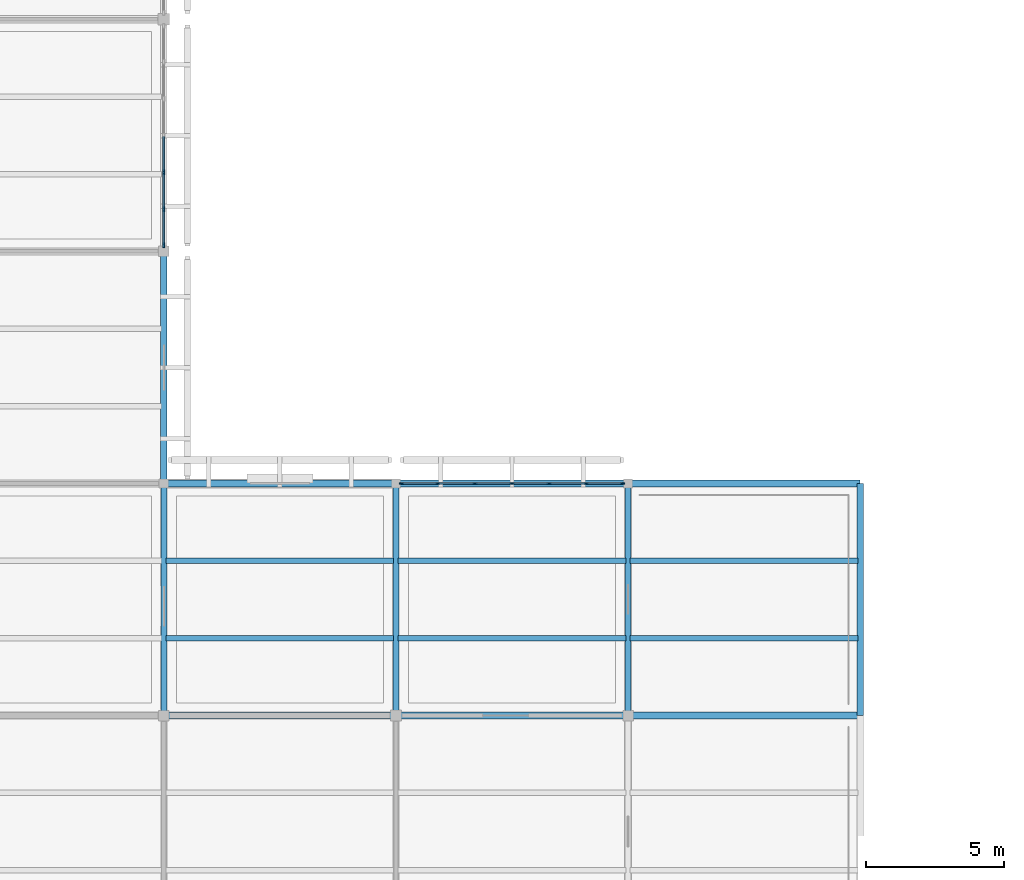
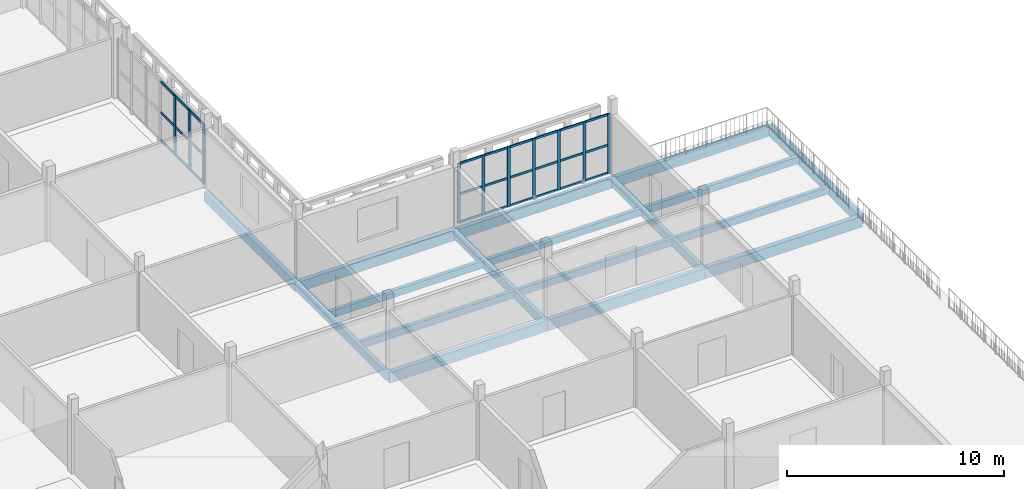
# One storey, part 21 of 140: 37 members, 17 beams, 2 elements without a shape of their own.
"""IFC4 building model written with IfcOpenShell, lengths in metres."""

from ifc_helpers import new_model, si_unit, direction, frame, origin, origin_2d, place, context, subcontext, project, spatial, rectangle, extrude, material, layer, layer_set, material_profile, profile_set, type_object, element, aggregate, save


model = new_model("IFC4")

# Units and contexts
model_context = context("Model", 3, precision=1e-05, world=origin(), true_north=direction((0.0, 1.0)))
body_context = subcontext(model_context, "Body", "Model", "MODEL_VIEW")
ifc_project = project(units=[si_unit("LENGTHUNIT", "METRE"), si_unit("AREAUNIT", "SQUARE_METRE"), si_unit("VOLUMEUNIT", "CUBIC_METRE"), si_unit("PLANEANGLEUNIT", "RADIAN"), si_unit("MASSUNIT", "GRAM", prefix="KILO")], contexts=[model_context])

# Site, building, storey
site_placement = place(None, origin())
site = spatial("IfcSite", under=ifc_project, at=site_placement, CompositionType="ELEMENT")
building_placement = place(site_placement, origin())
building = spatial("IfcBuilding", under=site, at=building_placement, Name="Varnapada Polytechnic", CompositionType="ELEMENT")
storey_placement = place(building_placement, frame((0.0, 0.0, 13.800048828125)))
storey = spatial("IfcBuildingStorey", under=building, at=storey_placement, Name="L03", CompositionType="ELEMENT", Elevation=13.800048828125)

# Beams
ifc_material_1 = material(Name="Glulam GL32h", Category="wood")
ifc_material_profile_1 = material_profile(ifc_material_1, rectangle(XDim=0.199951171875, YDim=0.39990234375, at=origin_2d()), Name="GL 200x400")
ifc_profile_set_1 = profile_set([ifc_material_profile_1], Name="Glulam GL32h")
beam_type_1 = type_object("IfcBeamType", Name="Library/laboratory glulam floor joist GJ-01 (GL 200x400)", PredefinedType="JOIST", material=ifc_profile_set_1)
for number, where, z_axis, x_axis, name in (
    (1, (33.679931640625, 36.39990234375, -0.469970703125), (1.0, 0.0, 0.0), (0.0, 1.0, 0.0), "L03 floor joist 5/5.1"),
    (2, (33.679931640625, 39.199951171875, -0.469970703125), (1.0, 0.0, 0.0), (0.0, 1.0, 0.0), "L03 floor joist 5/5.2"),
    (3, (42.080078125, 36.39990234375, -0.469970703125), (1.0, 0.0, 0.0), (0.0, 1.0, 0.0), "L03 floor joist 6/5.1"),
    (4, (42.080078125, 39.199951171875, -0.469970703125), (1.0, 0.0, 0.0), (0.0, 1.0, 0.0), "L03 floor joist 6/5.2"),
    (5, (50.47998046875, 36.39990234375, -0.469970703125), (1.0, 0.0, 0.0), (0.0, 1.0, 0.0), "L03 floor joist 7/5.1"),
    (6, (50.47998046875, 39.199951171875, -0.469970703125), (1.0, 0.0, 0.0), (0.0, 1.0, 0.0), "L03 floor joist 7/5.2"),
):
    element("IfcBeam", number, at=place(storey_placement, frame(where, z_axis=z_axis, x_axis=x_axis)), inside=storey, type_object=beam_type_1, Name=name, PredefinedType="JOIST", context=body_context, shape_type="SweptSolid", body=[
        extrude(rectangle(XDim=0.199951171875, YDim=0.39990234375, at=origin_2d()), origin(), (0.0, 0.0, 1.0), 8.239990234375),
    ])

# Curtain wall, members
ifc_material_2 = material(Name="Double low-E laminated glass", Category="glass")
ifc_layer_1 = layer(ifc_material_2, 0.159912109375)
ifc_layer_set_1 = layer_set([ifc_layer_1], Name="Double low-E laminated glass")
curtain_wall_type_1 = type_object("IfcCurtainWallType", Name="Curtain Wall CW-01", PredefinedType="NOTDEFINED", material=ifc_layer_set_1)
curtain_wall_1_placement = place(storey_placement, origin())
curtain_wall_1 = element("IfcCurtainWall", 7, at=curtain_wall_1_placement, inside=storey, type_object=curtain_wall_type_1, Name="L03 unitised curtain wall CW-01 (224)", PredefinedType="NOTDEFINED")
ifc_material_3 = material(Name="Anodised aluminium", Category="aluminium")
ifc_material_profile_2 = material_profile(ifc_material_3, rectangle(XDim=0.06005859375, YDim=0.159912109375, at=origin_2d()), Name="ALU M60x160")
ifc_profile_set_2 = profile_set([ifc_material_profile_2], Name="Anodised aluminium")
member_type_1 = type_object("IfcMemberType", Name="Mullion M-01", PredefinedType="MULLION", material=ifc_profile_set_2)
member_1_placement = place(storey_placement, frame((42.199951171875, 42.0, 0.0), z_axis=(0.0, 0.0, 1.0), x_axis=(0.0, 1.0, 0.0)))
member_1 = element("IfcMember", 8, at=member_1_placement, type_object=member_type_1, Name="CW-01 mullion 1", PredefinedType="MULLION", context=body_context, shape_type="SweptSolid", body=[
    extrude(rectangle(XDim=0.06005859375, YDim=0.159912109375, at=origin_2d()), origin(), (0.0, 0.0, 1.0), 3.35986328125),
])
member_2_placement = place(storey_placement, frame((43.513427734375, 42.0, 0.0), z_axis=(0.0, 0.0, 1.0), x_axis=(0.0, 1.0, 0.0)))
member_2 = element("IfcMember", 9, at=member_2_placement, type_object=member_type_1, Name="CW-01 mullion 2", PredefinedType="MULLION", context=body_context, shape_type="SweptSolid", body=[
    extrude(rectangle(XDim=0.06005859375, YDim=0.159912109375, at=origin_2d()), origin(), (0.0, 0.0, 1.0), 3.35986328125),
])
member_3_placement = place(storey_placement, frame((44.856689453125, 42.0, 0.0), z_axis=(0.0, 0.0, 1.0), x_axis=(0.0, 1.0, 0.0)))
member_3 = element("IfcMember", 10, at=member_3_placement, type_object=member_type_1, Name="CW-01 mullion 3", PredefinedType="MULLION", context=body_context, shape_type="SweptSolid", body=[
    extrude(rectangle(XDim=0.06005859375, YDim=0.159912109375, at=origin_2d()), origin(), (0.0, 0.0, 1.0), 3.35986328125),
])
member_4_placement = place(storey_placement, frame((46.199951171875, 42.0, 0.0), z_axis=(0.0, 0.0, 1.0), x_axis=(0.0, 1.0, 0.0)))
member_4 = element("IfcMember", 11, at=member_4_placement, type_object=member_type_1, Name="CW-01 mullion 4", PredefinedType="MULLION", context=body_context, shape_type="SweptSolid", body=[
    extrude(rectangle(XDim=0.06005859375, YDim=0.159912109375, at=origin_2d()), origin(), (0.0, 0.0, 1.0), 3.35986328125),
])
member_5_placement = place(storey_placement, frame((47.543212890625, 42.0, 0.0), z_axis=(0.0, 0.0, 1.0), x_axis=(0.0, 1.0, 0.0)))
member_5 = element("IfcMember", 12, at=member_5_placement, type_object=member_type_1, Name="CW-01 mullion 5", PredefinedType="MULLION", context=body_context, shape_type="SweptSolid", body=[
    extrude(rectangle(XDim=0.06005859375, YDim=0.159912109375, at=origin_2d()), origin(), (0.0, 0.0, 1.0), 3.35986328125),
])
member_6_placement = place(storey_placement, frame((48.88671875, 42.0, 0.0), z_axis=(0.0, 0.0, 1.0), x_axis=(0.0, 1.0, 0.0)))
member_6 = element("IfcMember", 13, at=member_6_placement, type_object=member_type_1, Name="CW-01 mullion 6", PredefinedType="MULLION", context=body_context, shape_type="SweptSolid", body=[
    extrude(rectangle(XDim=0.06005859375, YDim=0.159912109375, at=origin_2d()), origin(), (0.0, 0.0, 1.0), 3.35986328125),
])
member_7_placement = place(storey_placement, frame((50.199951171875, 42.0, 0.0), z_axis=(0.0, 0.0, 1.0), x_axis=(0.0, 1.0, 0.0)))
member_7 = element("IfcMember", 14, at=member_7_placement, type_object=member_type_1, Name="CW-01 mullion 7", PredefinedType="MULLION", context=body_context, shape_type="SweptSolid", body=[
    extrude(rectangle(XDim=0.06005859375, YDim=0.159912109375, at=origin_2d()), origin(), (0.0, 0.0, 1.0), 3.35986328125),
])

ifc_layer_2 = layer(ifc_material_2, 0.179931640625)
ifc_layer_set_2 = layer_set([ifc_layer_2], Name="Double low-E laminated glass")
curtain_wall_type_2 = type_object("IfcCurtainWallType", Name="Curtain Wall CW-03", PredefinedType="NOTDEFINED", material=ifc_layer_set_2)
curtain_wall_2_placement = place(storey_placement, origin())
curtain_wall_2 = element("IfcCurtainWall", 15, at=curtain_wall_2_placement, inside=storey, type_object=curtain_wall_type_2, Name="L03 unitised curtain wall CW-03 (217)", PredefinedType="NOTDEFINED")
ifc_material_profile_3 = material_profile(ifc_material_3, rectangle(XDim=0.06494140625, YDim=0.179931640625, at=origin_2d()), Name="ALU M65x180")
ifc_profile_set_3 = profile_set([ifc_material_profile_3], Name="Anodised aluminium")
member_type_2 = type_object("IfcMemberType", Name="Mullion M-02", PredefinedType="MULLION", material=ifc_profile_set_3)
member_8_placement = place(storey_placement, frame((33.60009765625, 53.256591796875, 0.0), z_axis=(0.0, 0.0, 1.0), x_axis=(1.0, 0.0, 0.0)))
member_8 = element("IfcMember", 16, at=member_8_placement, type_object=member_type_2, Name="CW-03 mullion 5", PredefinedType="MULLION", context=body_context, shape_type="SweptSolid", body=[
    extrude(rectangle(XDim=0.06494140625, YDim=0.179931640625, at=origin_2d()), origin(), (0.0, 0.0, 1.0), 3.35986328125),
])
member_9_placement = place(storey_placement, frame((33.60009765625, 51.92333984375, 0.0), z_axis=(0.0, 0.0, 1.0), x_axis=(1.0, 0.0, 0.0)))
member_9 = element("IfcMember", 17, at=member_9_placement, type_object=member_type_2, Name="CW-03 mullion 6", PredefinedType="MULLION", context=body_context, shape_type="SweptSolid", body=[
    extrude(rectangle(XDim=0.06494140625, YDim=0.179931640625, at=origin_2d()), origin(), (0.0, 0.0, 1.0), 3.35986328125),
])
member_10_placement = place(storey_placement, frame((33.60009765625, 50.62255859375, 0.0), z_axis=(0.0, 0.0, 1.0), x_axis=(1.0, 0.0, 0.0)))
member_10 = element("IfcMember", 18, at=member_10_placement, type_object=member_type_2, Name="CW-03 mullion 7", PredefinedType="MULLION", context=body_context, shape_type="SweptSolid", body=[
    extrude(rectangle(XDim=0.06494140625, YDim=0.179931640625, at=origin_2d()), origin(), (0.0, 0.0, 1.0), 3.35986328125),
])

# Beams
ifc_material_profile_4 = material_profile(ifc_material_1, rectangle(XDim=0.239990234375, YDim=0.56005859375, at=origin_2d()), Name="GL 240x560")
ifc_profile_set_4 = profile_set([ifc_material_profile_4], Name="Glulam GL32h")
beam_type_2 = type_object("IfcBeamType", Name="Perimeter glulam spandrel beam SP-02 (GL 240x560)", PredefinedType="SPANDREL", material=ifc_profile_set_4)
for number, where, z_axis, x_axis, name in (
    (19, (33.60009765625, 42.0, -0.550048828125), (1.0, 0.0, 0.0), (0.0, 1.0, 0.0), "L03 beam X 5-6 at Y6"),
    (20, (42.0, 42.0, -0.550048828125), (1.0, 0.0, 0.0), (0.0, 1.0, 0.0), "L03 beam X 6-7 at Y6"),
):
    element("IfcBeam", number, at=place(storey_placement, frame(where, z_axis=z_axis, x_axis=x_axis)), inside=storey, type_object=beam_type_2, Name=name, PredefinedType="SPANDREL", context=body_context, shape_type="SweptSolid", body=[
        extrude(rectangle(XDim=0.239990234375, YDim=0.56005859375, at=origin_2d()), origin(), (0.0, 0.0, 1.0), 8.39990234375),
    ])
beam_1_placement = place(storey_placement, frame((50.39990234375, 42.0, -0.550048828125), z_axis=(1.0, 0.0, 0.0), x_axis=(0.0, 1.0, 0.0)))
element("IfcBeam", 21, at=beam_1_placement, inside=storey, type_object=beam_type_2, Name="L03 beam X 7-8 at Y6", PredefinedType="SPANDREL", context=body_context, shape_type="SweptSolid", body=[
    extrude(rectangle(XDim=0.239990234375, YDim=0.56005859375, at=origin_2d()), origin(), (0.0, 0.0, 1.0), 8.400146484375),
])
for number, where, z_axis, x_axis, name in (
    (22, (33.60009765625, 42.0, -0.550048828125), (0.0, 1.0, 0.0), (-1.0, 0.0, 0.0), "L03 beam Y 6-7 at X5"),
    (23, (58.800048828125, 33.60009765625, -0.5400390625), (0.0, 1.0, 0.0), (-1.0, 0.0, 0.0), "L03 beam Y 5-6 at X8"),
):
    element("IfcBeam", number, at=place(storey_placement, frame(where, z_axis=z_axis, x_axis=x_axis)), inside=storey, type_object=beam_type_2, Name=name, PredefinedType="SPANDREL", context=body_context, shape_type="SweptSolid", body=[
        extrude(rectangle(XDim=0.239990234375, YDim=0.56005859375, at=origin_2d()), origin(), (0.0, 0.0, 1.0), 8.39990234375),
    ])
ifc_material_profile_5 = material_profile(ifc_material_1, rectangle(XDim=0.260009765625, YDim=0.60009765625, at=origin_2d()), Name="GL 260x600")
ifc_profile_set_5 = profile_set([ifc_material_profile_5], Name="Glulam GL32h")
beam_type_3 = type_object("IfcBeamType", Name="Seminar wing glulam girder GG-05 (GL 260x600)", PredefinedType="BEAM", material=ifc_profile_set_5)
for number, where, z_axis, x_axis, name in (
    (24, (33.60009765625, 33.60009765625, -0.570068359375), (1.0, 0.0, 0.0), (0.0, 1.0, 0.0), "L03 beam X 5-6 at Y5"),
    (25, (42.0, 33.60009765625, -0.570068359375), (1.0, 0.0, 0.0), (0.0, 1.0, 0.0), "L03 beam X 6-7 at Y5"),
):
    element("IfcBeam", number, at=place(storey_placement, frame(where, z_axis=z_axis, x_axis=x_axis)), inside=storey, type_object=beam_type_3, Name=name, PredefinedType="BEAM", context=body_context, shape_type="SweptSolid", body=[
        extrude(rectangle(XDim=0.260009765625, YDim=0.60009765625, at=origin_2d()), origin(), (0.0, 0.0, 1.0), 8.39990234375),
    ])
beam_2_placement = place(storey_placement, frame((50.39990234375, 33.60009765625, -0.570068359375), z_axis=(1.0, 0.0, 0.0), x_axis=(0.0, 1.0, 0.0)))
element("IfcBeam", 26, at=beam_2_placement, inside=storey, type_object=beam_type_3, Name="L03 beam X 7-8 at Y5", PredefinedType="BEAM", context=body_context, shape_type="SweptSolid", body=[
    extrude(rectangle(XDim=0.260009765625, YDim=0.60009765625, at=origin_2d()), origin(), (0.0, 0.0, 1.0), 8.400146484375),
])

# Member
ifc_material_profile_6 = material_profile(ifc_material_3, rectangle(XDim=0.06005859375, YDim=0.1201171875, at=origin_2d()), Name="ALU T60x120")
ifc_profile_set_6 = profile_set([ifc_material_profile_6], Name="Anodised aluminium")
member_type_3 = type_object("IfcMemberType", Name="Transom T-01", PredefinedType="USERDEFINED", material=ifc_profile_set_6)
member_11_placement = place(storey_placement, frame((42.22998046875, 42.0, 0.030029296875), z_axis=(1.0, 0.0, 0.0), x_axis=(0.0, 1.0, 0.0)))
member_11 = element("IfcMember", 27, at=member_11_placement, type_object=member_type_3, Name="CW-01 transom 1.1", ObjectType="TRANSOM", PredefinedType="USERDEFINED", context=body_context, shape_type="SweptSolid", body=[
    extrude(rectangle(XDim=0.06005859375, YDim=0.1201171875, at=origin_2d()), origin(), (0.0, 0.0, 1.0), 1.25341796875),
])

member_12_placement = place(storey_placement, frame((42.22998046875, 42.0, 1.61279296875), z_axis=(1.0, 0.0, 0.0), x_axis=(0.0, 1.0, 0.0)))
member_12 = element("IfcMember", 28, at=member_12_placement, type_object=member_type_3, Name="CW-01 transom 1.2", ObjectType="TRANSOM", PredefinedType="USERDEFINED", context=body_context, shape_type="SweptSolid", body=[
    extrude(rectangle(XDim=0.06005859375, YDim=0.1201171875, at=origin_2d()), origin(), (0.0, 0.0, 1.0), 1.25341796875),
])

member_13_placement = place(storey_placement, frame((42.22998046875, 42.0, 3.329833984375), z_axis=(1.0, 0.0, 0.0), x_axis=(0.0, 1.0, 0.0)))
member_13 = element("IfcMember", 29, at=member_13_placement, type_object=member_type_3, Name="CW-01 transom 1.3", ObjectType="TRANSOM", PredefinedType="USERDEFINED", context=body_context, shape_type="SweptSolid", body=[
    extrude(rectangle(XDim=0.06005859375, YDim=0.1201171875, at=origin_2d()), origin(), (0.0, 0.0, 1.0), 1.25341796875),
])

member_14_placement = place(storey_placement, frame((43.543212890625, 42.0, 0.030029296875), z_axis=(1.0, 0.0, 0.0), x_axis=(0.0, 1.0, 0.0)))
member_14 = element("IfcMember", 30, at=member_14_placement, type_object=member_type_3, Name="CW-01 transom 2.1", ObjectType="TRANSOM", PredefinedType="USERDEFINED", context=body_context, shape_type="SweptSolid", body=[
    extrude(rectangle(XDim=0.06005859375, YDim=0.1201171875, at=origin_2d()), origin(), (0.0, 0.0, 1.0), 1.283447265625),
])

member_15_placement = place(storey_placement, frame((43.543212890625, 42.0, 1.61279296875), z_axis=(1.0, 0.0, 0.0), x_axis=(0.0, 1.0, 0.0)))
member_15 = element("IfcMember", 31, at=member_15_placement, type_object=member_type_3, Name="CW-01 transom 2.2", ObjectType="TRANSOM", PredefinedType="USERDEFINED", context=body_context, shape_type="SweptSolid", body=[
    extrude(rectangle(XDim=0.06005859375, YDim=0.1201171875, at=origin_2d()), origin(), (0.0, 0.0, 1.0), 1.283447265625),
])

member_16_placement = place(storey_placement, frame((43.543212890625, 42.0, 3.329833984375), z_axis=(1.0, 0.0, 0.0), x_axis=(0.0, 1.0, 0.0)))
member_16 = element("IfcMember", 32, at=member_16_placement, type_object=member_type_3, Name="CW-01 transom 2.3", ObjectType="TRANSOM", PredefinedType="USERDEFINED", context=body_context, shape_type="SweptSolid", body=[
    extrude(rectangle(XDim=0.06005859375, YDim=0.1201171875, at=origin_2d()), origin(), (0.0, 0.0, 1.0), 1.283447265625),
])

member_17_placement = place(storey_placement, frame((44.88671875, 42.0, 0.030029296875), z_axis=(1.0, 0.0, 0.0), x_axis=(0.0, 1.0, 0.0)))
member_17 = element("IfcMember", 33, at=member_17_placement, type_object=member_type_3, Name="CW-01 transom 3.1", ObjectType="TRANSOM", PredefinedType="USERDEFINED", context=body_context, shape_type="SweptSolid", body=[
    extrude(rectangle(XDim=0.06005859375, YDim=0.1201171875, at=origin_2d()), origin(), (0.0, 0.0, 1.0), 1.283203125),
])

member_18_placement = place(storey_placement, frame((44.88671875, 42.0, 1.61279296875), z_axis=(1.0, 0.0, 0.0), x_axis=(0.0, 1.0, 0.0)))
member_18 = element("IfcMember", 34, at=member_18_placement, type_object=member_type_3, Name="CW-01 transom 3.2", ObjectType="TRANSOM", PredefinedType="USERDEFINED", context=body_context, shape_type="SweptSolid", body=[
    extrude(rectangle(XDim=0.06005859375, YDim=0.1201171875, at=origin_2d()), origin(), (0.0, 0.0, 1.0), 1.283203125),
])

member_19_placement = place(storey_placement, frame((44.88671875, 42.0, 3.329833984375), z_axis=(1.0, 0.0, 0.0), x_axis=(0.0, 1.0, 0.0)))
member_19 = element("IfcMember", 35, at=member_19_placement, type_object=member_type_3, Name="CW-01 transom 3.3", ObjectType="TRANSOM", PredefinedType="USERDEFINED", context=body_context, shape_type="SweptSolid", body=[
    extrude(rectangle(XDim=0.06005859375, YDim=0.1201171875, at=origin_2d()), origin(), (0.0, 0.0, 1.0), 1.283203125),
])

member_20_placement = place(storey_placement, frame((46.22998046875, 42.0, 0.030029296875), z_axis=(1.0, 0.0, 0.0), x_axis=(0.0, 1.0, 0.0)))
member_20 = element("IfcMember", 36, at=member_20_placement, type_object=member_type_3, Name="CW-01 transom 4.1", ObjectType="TRANSOM", PredefinedType="USERDEFINED", context=body_context, shape_type="SweptSolid", body=[
    extrude(rectangle(XDim=0.06005859375, YDim=0.1201171875, at=origin_2d()), origin(), (0.0, 0.0, 1.0), 1.283447265625),
])

member_21_placement = place(storey_placement, frame((46.22998046875, 42.0, 1.61279296875), z_axis=(1.0, 0.0, 0.0), x_axis=(0.0, 1.0, 0.0)))
member_21 = element("IfcMember", 37, at=member_21_placement, type_object=member_type_3, Name="CW-01 transom 4.2", ObjectType="TRANSOM", PredefinedType="USERDEFINED", context=body_context, shape_type="SweptSolid", body=[
    extrude(rectangle(XDim=0.06005859375, YDim=0.1201171875, at=origin_2d()), origin(), (0.0, 0.0, 1.0), 1.283447265625),
])

member_22_placement = place(storey_placement, frame((46.22998046875, 42.0, 3.329833984375), z_axis=(1.0, 0.0, 0.0), x_axis=(0.0, 1.0, 0.0)))
member_22 = element("IfcMember", 38, at=member_22_placement, type_object=member_type_3, Name="CW-01 transom 4.3", ObjectType="TRANSOM", PredefinedType="USERDEFINED", context=body_context, shape_type="SweptSolid", body=[
    extrude(rectangle(XDim=0.06005859375, YDim=0.1201171875, at=origin_2d()), origin(), (0.0, 0.0, 1.0), 1.283447265625),
])

member_23_placement = place(storey_placement, frame((47.5732421875, 42.0, 0.030029296875), z_axis=(1.0, 0.0, 0.0), x_axis=(0.0, 1.0, 0.0)))
member_23 = element("IfcMember", 39, at=member_23_placement, type_object=member_type_3, Name="CW-01 transom 5.1", ObjectType="TRANSOM", PredefinedType="USERDEFINED", context=body_context, shape_type="SweptSolid", body=[
    extrude(rectangle(XDim=0.06005859375, YDim=0.1201171875, at=origin_2d()), origin(), (0.0, 0.0, 1.0), 1.283447265625),
])

member_24_placement = place(storey_placement, frame((47.5732421875, 42.0, 1.61279296875), z_axis=(1.0, 0.0, 0.0), x_axis=(0.0, 1.0, 0.0)))
member_24 = element("IfcMember", 40, at=member_24_placement, type_object=member_type_3, Name="CW-01 transom 5.2", ObjectType="TRANSOM", PredefinedType="USERDEFINED", context=body_context, shape_type="SweptSolid", body=[
    extrude(rectangle(XDim=0.06005859375, YDim=0.1201171875, at=origin_2d()), origin(), (0.0, 0.0, 1.0), 1.283447265625),
])

member_25_placement = place(storey_placement, frame((47.5732421875, 42.0, 3.329833984375), z_axis=(1.0, 0.0, 0.0), x_axis=(0.0, 1.0, 0.0)))
member_25 = element("IfcMember", 41, at=member_25_placement, type_object=member_type_3, Name="CW-01 transom 5.3", ObjectType="TRANSOM", PredefinedType="USERDEFINED", context=body_context, shape_type="SweptSolid", body=[
    extrude(rectangle(XDim=0.06005859375, YDim=0.1201171875, at=origin_2d()), origin(), (0.0, 0.0, 1.0), 1.283447265625),
])

member_26_placement = place(storey_placement, frame((48.916748046875, 42.0, 0.030029296875), z_axis=(1.0, 0.0, 0.0), x_axis=(0.0, 1.0, 0.0)))
member_26 = element("IfcMember", 42, at=member_26_placement, type_object=member_type_3, Name="CW-01 transom 6.1", ObjectType="TRANSOM", PredefinedType="USERDEFINED", context=body_context, shape_type="SweptSolid", body=[
    extrude(rectangle(XDim=0.06005859375, YDim=0.1201171875, at=origin_2d()), origin(), (0.0, 0.0, 1.0), 1.253173828125),
])

member_27_placement = place(storey_placement, frame((48.916748046875, 42.0, 1.61279296875), z_axis=(1.0, 0.0, 0.0), x_axis=(0.0, 1.0, 0.0)))
member_27 = element("IfcMember", 43, at=member_27_placement, type_object=member_type_3, Name="CW-01 transom 6.2", ObjectType="TRANSOM", PredefinedType="USERDEFINED", context=body_context, shape_type="SweptSolid", body=[
    extrude(rectangle(XDim=0.06005859375, YDim=0.1201171875, at=origin_2d()), origin(), (0.0, 0.0, 1.0), 1.253173828125),
])

member_28_placement = place(storey_placement, frame((48.916748046875, 42.0, 3.329833984375), z_axis=(1.0, 0.0, 0.0), x_axis=(0.0, 1.0, 0.0)))
member_28 = element("IfcMember", 44, at=member_28_placement, type_object=member_type_3, Name="CW-01 transom 6.3", ObjectType="TRANSOM", PredefinedType="USERDEFINED", context=body_context, shape_type="SweptSolid", body=[
    extrude(rectangle(XDim=0.06005859375, YDim=0.1201171875, at=origin_2d()), origin(), (0.0, 0.0, 1.0), 1.253173828125),
])

aggregate(curtain_wall_1, [member_1, member_2, member_3, member_4, member_5, member_6, member_7, member_11, member_12, member_13, member_14, member_15, member_16, member_17, member_18, member_19, member_20, member_21, member_22, member_23, member_24, member_25, member_26, member_27, member_28])

ifc_material_profile_7 = material_profile(ifc_material_3, rectangle(XDim=0.06494140625, YDim=0.139892578125, at=origin_2d()), Name="ALU T65x140")
ifc_profile_set_7 = profile_set([ifc_material_profile_7], Name="Anodised aluminium")
member_type_4 = type_object("IfcMemberType", Name="Transom T-02", PredefinedType="USERDEFINED", material=ifc_profile_set_7)
member_29_placement = place(storey_placement, frame((33.60009765625, 54.5576171875, 0.032470703125), z_axis=(0.0, -1.0, 0.0), x_axis=(1.0, 0.0, 0.0)))
member_29 = element("IfcMember", 45, at=member_29_placement, type_object=member_type_4, Name="CW-03 transom 4.1", ObjectType="TRANSOM", PredefinedType="USERDEFINED", context=body_context, shape_type="SweptSolid", body=[
    extrude(rectangle(XDim=0.06494140625, YDim=0.139892578125, at=origin_2d()), origin(), (0.0, 0.0, 1.0), 1.2685546875),
])

member_30_placement = place(storey_placement, frame((33.60009765625, 54.5576171875, 1.61279296875), z_axis=(0.0, -1.0, 0.0), x_axis=(1.0, 0.0, 0.0)))
member_30 = element("IfcMember", 46, at=member_30_placement, type_object=member_type_4, Name="CW-03 transom 4.2", ObjectType="TRANSOM", PredefinedType="USERDEFINED", context=body_context, shape_type="SweptSolid", body=[
    extrude(rectangle(XDim=0.06494140625, YDim=0.139892578125, at=origin_2d()), origin(), (0.0, 0.0, 1.0), 1.2685546875),
])

member_31_placement = place(storey_placement, frame((33.60009765625, 54.5576171875, 3.327392578125), z_axis=(0.0, -1.0, 0.0), x_axis=(1.0, 0.0, 0.0)))
member_31 = element("IfcMember", 47, at=member_31_placement, type_object=member_type_4, Name="CW-03 transom 4.3", ObjectType="TRANSOM", PredefinedType="USERDEFINED", context=body_context, shape_type="SweptSolid", body=[
    extrude(rectangle(XDim=0.06494140625, YDim=0.139892578125, at=origin_2d()), origin(), (0.0, 0.0, 1.0), 1.2685546875),
])

member_32_placement = place(storey_placement, frame((33.60009765625, 53.22412109375, 0.032470703125), z_axis=(0.0, -1.0, 0.0), x_axis=(1.0, 0.0, 0.0)))
member_32 = element("IfcMember", 48, at=member_32_placement, type_object=member_type_4, Name="CW-03 transom 5.1", ObjectType="TRANSOM", PredefinedType="USERDEFINED", context=body_context, shape_type="SweptSolid", body=[
    extrude(rectangle(XDim=0.06494140625, YDim=0.139892578125, at=origin_2d()), origin(), (0.0, 0.0, 1.0), 1.268310546875),
])

member_33_placement = place(storey_placement, frame((33.60009765625, 53.22412109375, 1.61279296875), z_axis=(0.0, -1.0, 0.0), x_axis=(1.0, 0.0, 0.0)))
member_33 = element("IfcMember", 49, at=member_33_placement, type_object=member_type_4, Name="CW-03 transom 5.2", ObjectType="TRANSOM", PredefinedType="USERDEFINED", context=body_context, shape_type="SweptSolid", body=[
    extrude(rectangle(XDim=0.06494140625, YDim=0.139892578125, at=origin_2d()), origin(), (0.0, 0.0, 1.0), 1.268310546875),
])

member_34_placement = place(storey_placement, frame((33.60009765625, 53.22412109375, 3.327392578125), z_axis=(0.0, -1.0, 0.0), x_axis=(1.0, 0.0, 0.0)))
member_34 = element("IfcMember", 50, at=member_34_placement, type_object=member_type_4, Name="CW-03 transom 5.3", ObjectType="TRANSOM", PredefinedType="USERDEFINED", context=body_context, shape_type="SweptSolid", body=[
    extrude(rectangle(XDim=0.06494140625, YDim=0.139892578125, at=origin_2d()), origin(), (0.0, 0.0, 1.0), 1.268310546875),
])

member_35_placement = place(storey_placement, frame((33.60009765625, 51.890869140625, 0.032470703125), z_axis=(0.0, -1.0, 0.0), x_axis=(1.0, 0.0, 0.0)))
member_35 = element("IfcMember", 51, at=member_35_placement, type_object=member_type_4, Name="CW-03 transom 6.1", ObjectType="TRANSOM", PredefinedType="USERDEFINED", context=body_context, shape_type="SweptSolid", body=[
    extrude(rectangle(XDim=0.06494140625, YDim=0.139892578125, at=origin_2d()), origin(), (0.0, 0.0, 1.0), 1.23583984375),
])

member_36_placement = place(storey_placement, frame((33.60009765625, 51.890869140625, 1.61279296875), z_axis=(0.0, -1.0, 0.0), x_axis=(1.0, 0.0, 0.0)))
member_36 = element("IfcMember", 52, at=member_36_placement, type_object=member_type_4, Name="CW-03 transom 6.2", ObjectType="TRANSOM", PredefinedType="USERDEFINED", context=body_context, shape_type="SweptSolid", body=[
    extrude(rectangle(XDim=0.06494140625, YDim=0.139892578125, at=origin_2d()), origin(), (0.0, 0.0, 1.0), 1.23583984375),
])

member_37_placement = place(storey_placement, frame((33.60009765625, 51.890869140625, 3.327392578125), z_axis=(0.0, -1.0, 0.0), x_axis=(1.0, 0.0, 0.0)))
member_37 = element("IfcMember", 53, at=member_37_placement, type_object=member_type_4, Name="CW-03 transom 6.3", ObjectType="TRANSOM", PredefinedType="USERDEFINED", context=body_context, shape_type="SweptSolid", body=[
    extrude(rectangle(XDim=0.06494140625, YDim=0.139892578125, at=origin_2d()), origin(), (0.0, 0.0, 1.0), 1.23583984375),
])

aggregate(curtain_wall_2, [member_8, member_9, member_10, member_29, member_30, member_31, member_32, member_33, member_34, member_35, member_36, member_37])

# Beams
ifc_material_profile_8 = material_profile(ifc_material_1, rectangle(XDim=0.219970703125, YDim=0.47998046875, at=origin_2d()), Name="GL 220x480")
ifc_profile_set_8 = profile_set([ifc_material_profile_8], Name="Glulam GL32h")
beam_type_4 = type_object("IfcBeamType", Name="Upper floor glulam tie beam GB-11 (GL 220x480)", PredefinedType="BEAM", material=ifc_profile_set_8)
for number, where, z_axis, x_axis, name in (
    (54, (33.60009765625, 33.60009765625, -0.510009765625), (0.0, 1.0, 0.0), (-1.0, 0.0, 0.0), "L03 beam Y 5-6 at X5"),
    (55, (42.0, 33.60009765625, -0.510009765625), (0.0, 1.0, 0.0), (-1.0, 0.0, 0.0), "L03 beam Y 5-6 at X6"),
    (56, (50.39990234375, 33.60009765625, -0.510009765625), (0.0, 1.0, 0.0), (-1.0, 0.0, 0.0), "L03 beam Y 5-6 at X7"),
):
    element("IfcBeam", number, at=place(storey_placement, frame(where, z_axis=z_axis, x_axis=x_axis)), inside=storey, type_object=beam_type_4, Name=name, PredefinedType="BEAM", context=body_context, shape_type="SweptSolid", body=[
        extrude(rectangle(XDim=0.219970703125, YDim=0.47998046875, at=origin_2d()), origin(), (0.0, 0.0, 1.0), 8.39990234375),
    ])

save(model, "model.ifc")
